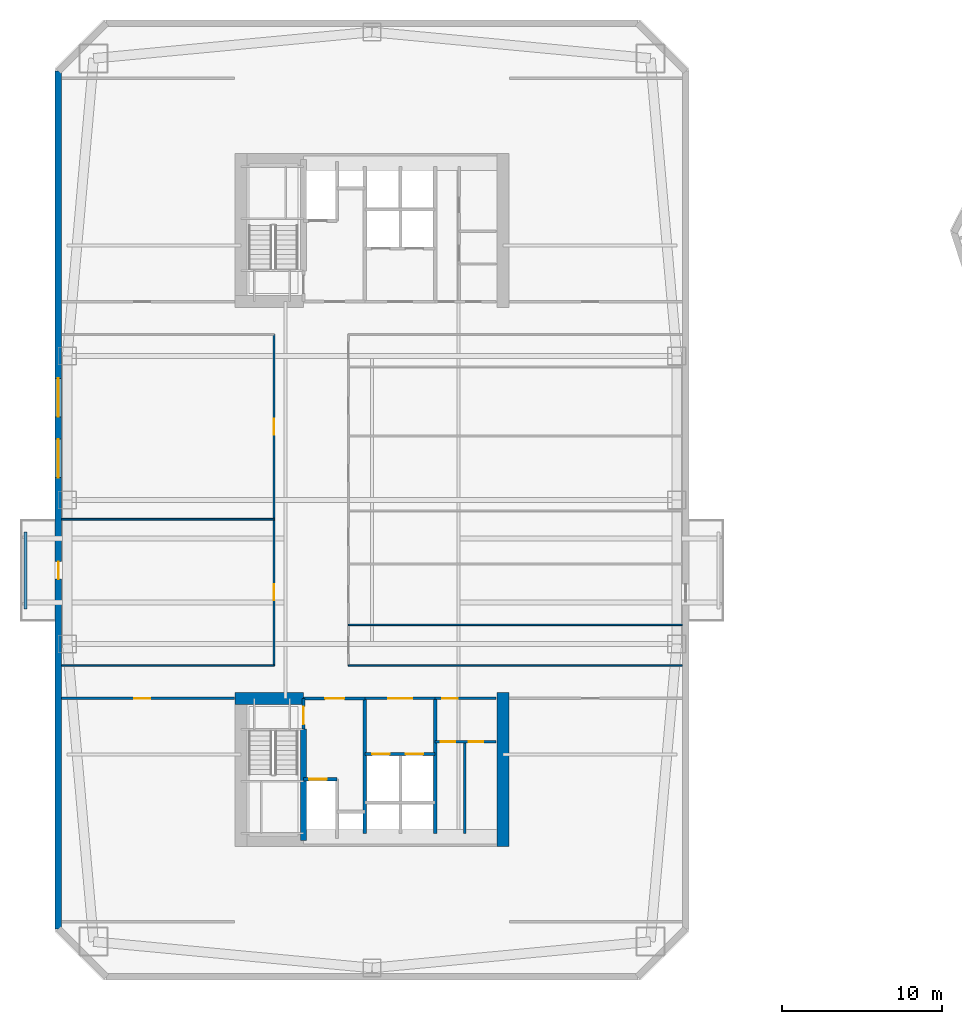
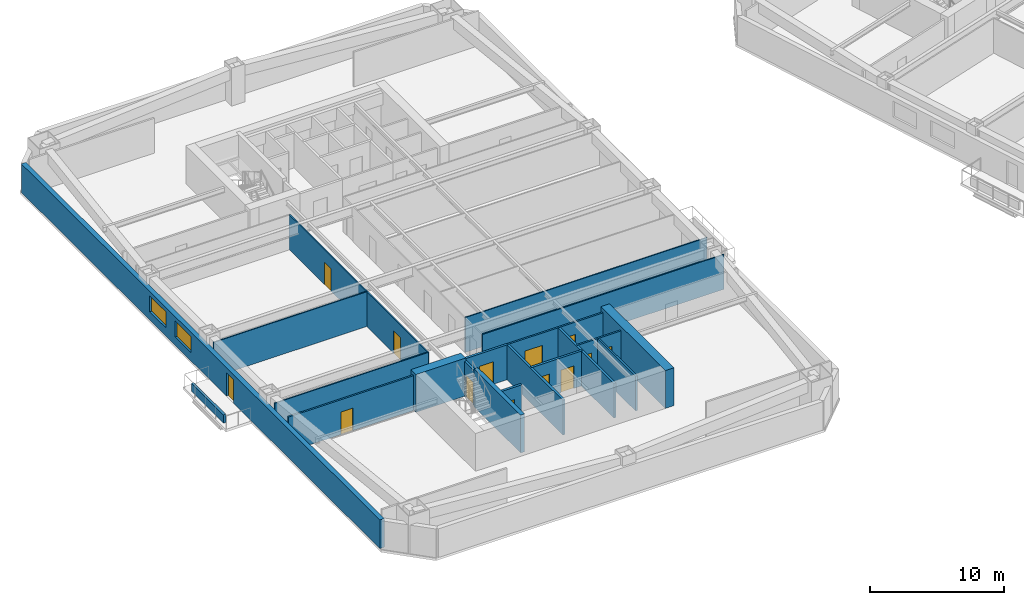
# One storey, part 5 of 15: 21 walls, 13 doors, 2 windows, 15 openings.
"""IFC4 building model written with IfcOpenShell, lengths in metres."""

from ifc_helpers import new_model, si_unit, direction, frame, frame_2d, origin, place, context, subcontext, project, spatial, rectangle, extrude, material, layer, layer_set, type_object, element, fill, save


model = new_model("IFC4")

# Units and contexts
model_context = context("Model", 3, precision=1e-05, world=origin(), true_north=direction((0.0, 1.0)))
body_context = subcontext(model_context, "Body", "Model", "MODEL_VIEW")
ifc_project = project(units=[si_unit("LENGTHUNIT", "METRE"), si_unit("AREAUNIT", "SQUARE_METRE"), si_unit("VOLUMEUNIT", "CUBIC_METRE"), si_unit("PLANEANGLEUNIT", "RADIAN"), si_unit("MASSUNIT", "GRAM", prefix="KILO")], contexts=[model_context])

# Site, building, storey
site_placement = place(None, origin())
site = spatial("IfcSite", under=ifc_project, at=site_placement, CompositionType="ELEMENT")
building_placement = place(site_placement, origin())
building = spatial("IfcBuilding", under=site, at=building_placement, Name="Qiaolan Cultural Towers", CompositionType="ELEMENT")
storey_placement = place(building_placement, frame((0.0, 0.0, 81.64990234375)))
storey = spatial("IfcBuildingStorey", under=building, at=storey_placement, Name="L20", CompositionType="ELEMENT", Elevation=81.64990234375)

# Walls
ifc_material_1 = material(Name="Concrete C50", Category="concrete")
ifc_layer_1 = layer(ifc_material_1, 0.35009765625)
ifc_layer_set_1 = layer_set([ifc_layer_1], Name="Concrete C50")
wall_type_1 = type_object("IfcWallType", Name="WL-CORE-350", PredefinedType="SHEAR", material=ifc_layer_set_1)
wall_1_placement = place(storey_placement, frame((25.719970703125, 19.699951171875, 0.0), z_axis=(0.0, 0.0, 1.0), x_axis=(0.0, -1.0, 0.0)))
element("IfcWall", 1, at=wall_1_placement, inside=storey, type_object=wall_type_1, Name="L20 T1-CS Stair Core Dividing Web", PredefinedType="SHEAR", context=body_context, shape_type="SweptSolid", body=[
    extrude(rectangle(XDim=6.97998046875, YDim=0.35009765625, at=frame_2d((3.489990234375, 0.0))), origin(), (0.0, 0.0, 1.0), 3.4501953125),
])
ifc_material_2 = material(Name="Concrete C60", Category="concrete")
ifc_layer_2 = layer(ifc_material_2, 0.75)
ifc_layer_set_2 = layer_set([ifc_layer_2], Name="Concrete C60")
wall_type_2 = type_object("IfcWallType", Name="WL-CORE-750", PredefinedType="SHEAR", material=ifc_layer_set_2)
wall_2_placement = place(storey_placement, frame((38.199951171875, 21.97509765625, 0.0), z_axis=(0.0, 0.0, 1.0), x_axis=(0.0, -1.0, 0.0)))
element("IfcWall", 2, at=wall_2_placement, inside=storey, type_object=wall_type_2, Name="L20 T1-CS East Core Shear Wall", PredefinedType="SHEAR", context=body_context, shape_type="SweptSolid", body=[
    extrude(rectangle(XDim=9.630126953125, YDim=0.75, at=frame_2d((4.81494140625, 0.0))), origin(), (0.0, 0.0, 1.0), 3.4501953125),
])
wall_3_placement = place(storey_placement, frame((21.425048828125, 21.60009765625, 0.0), z_axis=(0.0, 0.0, 1.0), x_axis=(1.0, 0.0, 0.0)))
element("IfcWall", 3, at=wall_3_placement, inside=storey, type_object=wall_type_2, Name="L20 T1-CS Stair Front Shear Wall", PredefinedType="SHEAR", context=body_context, shape_type="SweptSolid", body=[
    extrude(rectangle(XDim=4.294921875, YDim=0.75, at=frame_2d((2.1474609375, 0.0))), origin(), (0.0, 0.0, 1.0), 3.4501953125),
])

# Wall, openings, door, windows
ifc_material_3 = material(Name="Precast Concrete C50 Honed Stone Pier", Category="masonry")
ifc_layer_3 = layer(ifc_material_3, 0.39990234375)
ifc_layer_set_3 = layer_set([ifc_layer_3], Name="Precast Concrete C50 Honed Stone Pier")
wall_type_3 = type_object("IfcWallType", Name="WL-EXT-PIER-400", PredefinedType="SOLIDWALL", material=ifc_layer_set_3)
wall_4_placement = place(storey_placement, frame((10.39990234375, 7.199951171875, 0.0), z_axis=(0.0, 0.0, 1.0), x_axis=(0.0, 1.0, 0.0)))
wall_4 = element("IfcWall", 4, at=wall_4_placement, inside=storey, type_object=wall_type_3, Name="L20 West Tower Precast Pier Facade Wall F1", PredefinedType="SOLIDWALL", context=body_context, shape_type="SweptSolid", body=[
    extrude(rectangle(XDim=53.60009765625, YDim=0.39990234375, at=frame_2d((26.800048828125, 0.0))), origin(), (0.0, 0.0, 1.0), 2.610107421875),
])
opening_1_placement = place(wall_4_placement, frame((28.199951171875, 0.0, 0.75)))
opening_1 = element("IfcOpeningElement", 5, at=opening_1_placement, cuts=wall_4, Name="Opening W-02", PredefinedType="OPENING", context=body_context, shape_type="SweptSolid", body=[
    extrude(rectangle(XDim=2.39990234375, YDim=1.4599609375, at=frame_2d((1.199951171875, 0.72998046875))), frame((0.0, 0.2099609375, 0.0), z_axis=(0.0, -1.0, 0.0), x_axis=(1.0, 0.0, 0.0)), (0.0, 0.0, 1.0), 0.419921875),
])
opening_2_placement = place(wall_4_placement, frame((32.0, 0.0, 0.75)))
opening_2 = element("IfcOpeningElement", 6, at=opening_2_placement, cuts=wall_4, Name="Opening W-02", PredefinedType="OPENING", context=body_context, shape_type="SweptSolid", body=[
    extrude(rectangle(XDim=2.39990234375, YDim=1.4599609375, at=frame_2d((1.199951171875, 0.72998046875))), frame((0.0, 0.2099609375, 0.0), z_axis=(0.0, -1.0, 0.0), x_axis=(1.0, 0.0, 0.0)), (0.0, 0.0, 1.0), 0.419921875),
])
opening_3_placement = place(wall_4_placement, frame((21.85009765625, 0.0, 0.0)))
opening_3 = element("IfcOpeningElement", 7, at=opening_3_placement, cuts=wall_4, Name="Opening BD-01", PredefinedType="OPENING", context=body_context, shape_type="SweptSolid", body=[
    extrude(rectangle(XDim=1.10009765625, YDim=2.14990234375, at=frame_2d((0.550048828125, 1.074951171875))), frame((0.0, 0.2099609375, 0.0), z_axis=(0.0, -1.0, 0.0), x_axis=(1.0, 0.0, 0.0)), (0.0, 0.0, 1.0), 0.419921875),
])
ifc_material_4 = material(Name="Thermally Broken Aluminium Glazed Terrace Door", Category="aluminium")
door_type_1 = type_object("IfcDoorType", Name="DR-BAL-1100", OperationType="NOTDEFINED", PredefinedType="DOOR", material=ifc_material_4)
door_1_placement = place(opening_3_placement, origin())
door_1 = element("IfcDoor", 8, at=door_1_placement, inside=storey, type_object=door_type_1, Name="L20 T1 West Tree Balcony Door", OperationType="SINGLE_SWING_LEFT", OverallHeight=2.14990234375, OverallWidth=1.10009765625, PredefinedType="DOOR", context=body_context, shape_type="SweptSolid", body=[
    extrude(rectangle(XDim=1.10009765625, YDim=2.14990234375, at=frame_2d((0.550048828125, 1.074951171875))), frame((0.0, 0.02490234375, 0.0), z_axis=(0.0, -1.0, 0.0), x_axis=(1.0, 0.0, 0.0)), (0.0, 0.0, 1.0), 0.050048828125),
])
fill(opening_3, door_1)
ifc_material_5 = material(Name="Thermally Broken Aluminium Triple Low-E Glazing", Category="aluminium")
window_type = type_object("IfcWindowType", Name="WN-CHIC-2400", PartitioningType="SINGLE_PANEL", PredefinedType="WINDOW", material=ifc_material_5)
window_1_placement = place(opening_1_placement, origin())
window_1 = element("IfcWindow", 9, at=window_1_placement, inside=storey, type_object=window_type, Name="L20 T1 W Chicago Bay Window 1", OverallHeight=1.4599609375, OverallWidth=2.39990234375, PartitioningType="TRIPLE_PANEL_VERTICAL", PredefinedType="WINDOW", context=body_context, shape_type="SweptSolid", body=[
    extrude(rectangle(XDim=2.39990234375, YDim=1.4599609375, at=frame_2d((1.199951171875, 0.72998046875))), frame((0.0, 0.030029296875, 0.0), z_axis=(0.0, -1.0, 0.0), x_axis=(1.0, 0.0, 0.0)), (0.0, 0.0, 1.0), 0.06005859375),
])
fill(opening_1, window_1)
window_2_placement = place(opening_2_placement, origin())
window_2 = element("IfcWindow", 10, at=window_2_placement, inside=storey, type_object=window_type, Name="L20 T1 W Chicago Bay Window 2", OverallHeight=1.4599609375, OverallWidth=2.39990234375, PartitioningType="TRIPLE_PANEL_VERTICAL", PredefinedType="WINDOW", context=body_context, shape_type="SweptSolid", body=[
    extrude(rectangle(XDim=2.39990234375, YDim=1.4599609375, at=frame_2d((1.199951171875, 0.72998046875))), frame((0.0, 0.030029296875, 0.0), z_axis=(0.0, -1.0, 0.0), x_axis=(1.0, 0.0, 0.0)), (0.0, 0.0, 1.0), 0.06005859375),
])
fill(opening_2, window_2)

# Wall, opening, door
ifc_material_6 = material(Name="Concrete C35 Fire Wall", Category="concrete")
ifc_layer_4 = layer(ifc_material_6, 0.199951171875)
ifc_layer_set_4 = layer_set([ifc_layer_4], Name="Concrete C35 Fire Wall")
wall_type_4 = type_object("IfcWallType", Name="WL-FIRE-200", PredefinedType="PARTITIONING", material=ifc_layer_set_4)
wall_5_placement = place(storey_placement, frame((25.719970703125, 21.60009765625, 0.0), z_axis=(0.0, 0.0, 1.0), x_axis=(0.0, -1.0, 0.0)))
wall_5 = element("IfcWall", 11, at=wall_5_placement, inside=storey, type_object=wall_type_4, Name="L20 T1-CS Smokeproof Stair Entry Wall", PredefinedType="PARTITIONING", context=body_context, shape_type="SweptSolid", body=[
    extrude(rectangle(XDim=1.900146484375, YDim=0.199951171875, at=frame_2d((0.9501953125, 0.0))), origin(), (0.0, 0.0, 1.0), 3.175048828125),
])
opening_4_placement = place(wall_5_placement, frame((0.52001953125, 0.0, 0.0)))
opening_4 = element("IfcOpeningElement", 12, at=opening_4_placement, cuts=wall_5, Name="Opening FD-04", PredefinedType="OPENING", context=body_context, shape_type="SweptSolid", body=[
    extrude(rectangle(XDim=1.10009765625, YDim=2.050048828125, at=frame_2d((0.550048828125, 1.02490234375))), frame((0.0, 0.10986328125, 0.0), z_axis=(0.0, -1.0, 0.0), x_axis=(1.0, 0.0, 0.0)), (0.0, 0.0, 1.0), 0.219970703125),
])
ifc_material_7 = material(Name="Galvanized Steel Command Fire Door", Category="steel")
door_type_2 = type_object("IfcDoorType", Name="DR-FD90-1100", OperationType="NOTDEFINED", PredefinedType="DOOR", material=ifc_material_7)
door_2_placement = place(opening_4_placement, origin())
door_2 = element("IfcDoor", 13, at=door_2_placement, inside=storey, type_object=door_type_2, Name="L20 ST-W1 Smokeproof Stair Fire Door", OperationType="SINGLE_SWING_LEFT", OverallHeight=2.050048828125, OverallWidth=1.10009765625, PredefinedType="DOOR", context=body_context, shape_type="SweptSolid", body=[
    extrude(rectangle(XDim=1.10009765625, YDim=2.050048828125, at=frame_2d((0.550048828125, 1.02490234375))), frame((0.0, 0.02490234375, 0.0), z_axis=(0.0, -1.0, 0.0), x_axis=(1.0, 0.0, 0.0)), (0.0, 0.0, 1.0), 0.050048828125),
])
fill(opening_4, door_2)

# Wall
wall_6_placement = place(storey_placement, frame((29.550048828125, 21.60009765625, 0.0), z_axis=(0.0, 0.0, 1.0), x_axis=(0.0, -1.0, 0.0)))
element("IfcWall", 14, at=wall_6_placement, inside=storey, type_object=wall_type_4, Name="L20 T1-CS Firefighting Zone Wall", PredefinedType="PARTITIONING", context=body_context, shape_type="SweptSolid", body=[
    extrude(rectangle(XDim=8.43017578125, YDim=0.199951171875, at=frame_2d((4.215087890625, 0.0))), origin(), (0.0, 0.0, 1.0), 3.175048828125),
])

# Wall, opening, door
wall_7_placement = place(storey_placement, frame((25.719970703125, 21.60009765625, 0.0), z_axis=(0.0, 0.0, 1.0), x_axis=(1.0, 0.0, 0.0)))
wall_7 = element("IfcWall", 15, at=wall_7_placement, inside=storey, type_object=wall_type_4, Name="L20 T1-CS Firefighting Lobby Front Wall", PredefinedType="PARTITIONING", context=body_context, shape_type="SweptSolid", body=[
    extrude(rectangle(XDim=3.830078125, YDim=0.199951171875, at=frame_2d((1.9150390625, 0.0))), origin(), (0.0, 0.0, 1.0), 3.175048828125),
])
opening_5_placement = place(wall_7_placement, frame((1.35009765625, 0.0, 0.0)))
opening_5 = element("IfcOpeningElement", 16, at=opening_5_placement, cuts=wall_7, Name="Opening FD-03", PredefinedType="OPENING", context=body_context, shape_type="SweptSolid", body=[
    extrude(rectangle(XDim=1.199951171875, YDim=2.050048828125, at=frame_2d((0.60009765625, 1.02490234375))), frame((0.0, 0.10986328125, 0.0), z_axis=(0.0, -1.0, 0.0), x_axis=(1.0, 0.0, 0.0)), (0.0, 0.0, 1.0), 0.219970703125),
])
ifc_material_8 = material(Name="Galvanized Steel Smokeproof Lobby Fire Door", Category="steel")
door_type_3 = type_object("IfcDoorType", Name="DR-FD90-1200", OperationType="NOTDEFINED", PredefinedType="DOOR", material=ifc_material_8)
door_3_placement = place(opening_5_placement, origin())
door_3 = element("IfcDoor", 17, at=door_3_placement, inside=storey, type_object=door_type_3, Name="L20 FFL-W1 Firefighting Lobby Fire Door", OperationType="SINGLE_SWING_LEFT", OverallHeight=2.050048828125, OverallWidth=1.199951171875, PredefinedType="DOOR", context=body_context, shape_type="SweptSolid", body=[
    extrude(rectangle(XDim=1.199951171875, YDim=2.050048828125, at=frame_2d((0.60009765625, 1.02490234375))), frame((0.0, 0.02490234375, 0.0), z_axis=(0.0, -1.0, 0.0), x_axis=(1.0, 0.0, 0.0)), (0.0, 0.0, 1.0), 0.050048828125),
])
fill(opening_5, door_3)

wall_8_placement = place(storey_placement, frame((25.719970703125, 16.550048828125, 0.0), z_axis=(0.0, 0.0, 1.0), x_axis=(1.0, 0.0, 0.0)))
wall_8 = element("IfcWall", 18, at=wall_8_placement, inside=storey, type_object=wall_type_4, Name="L20 T1-CS Firefighting Shaft Front Wall", PredefinedType="PARTITIONING", context=body_context, shape_type="SweptSolid", body=[
    extrude(rectangle(XDim=2.10009765625, YDim=0.199951171875, at=frame_2d((1.050048828125, 0.0))), origin(), (0.0, 0.0, 1.0), 3.175048828125),
])
opening_6_placement = place(wall_8_placement, frame((0.35009765625, 0.0, 0.0)))
opening_6 = element("IfcOpeningElement", 19, at=opening_6_placement, cuts=wall_8, Name="Opening LD-01", PredefinedType="OPENING", context=body_context, shape_type="SweptSolid", body=[
    extrude(rectangle(XDim=1.10009765625, YDim=2.050048828125, at=frame_2d((0.550048828125, 1.02490234375))), frame((0.0, 0.10986328125, 0.0), z_axis=(0.0, -1.0, 0.0), x_axis=(1.0, 0.0, 0.0)), (0.0, 0.0, 1.0), 0.219970703125),
])
ifc_material_9 = material(Name="Brushed Stainless Steel S30408 Centre-Parting Lift Landing Door", Category="steel")
door_type_4 = type_object("IfcDoorType", Name="DR-LIFT-1100", OperationType="NOTDEFINED", PredefinedType="DOOR", material=ifc_material_9)
door_4_placement = place(opening_6_placement, origin())
door_4 = element("IfcDoor", 20, at=door_4_placement, inside=storey, type_object=door_type_4, Name="L20 FFL-W1 Firefighting Lift Landing Door", OperationType="DOUBLE_DOOR_SLIDING", OverallHeight=2.050048828125, OverallWidth=1.10009765625, PredefinedType="DOOR", context=body_context, shape_type="SweptSolid", body=[
    extrude(rectangle(XDim=1.10009765625, YDim=2.050048828125, at=frame_2d((0.550048828125, 1.02490234375))), frame((0.0, 0.02490234375, 0.0), z_axis=(0.0, -1.0, 0.0), x_axis=(1.0, 0.0, 0.0)), (0.0, 0.0, 1.0), 0.050048828125),
])
fill(opening_6, door_4)

# Wall
wall_9_placement = place(storey_placement, frame((33.949951171875, 21.60009765625, 0.0), z_axis=(0.0, 0.0, 1.0), x_axis=(0.0, -1.0, 0.0)))
element("IfcWall", 21, at=wall_9_placement, inside=storey, type_object=wall_type_4, Name="L20 T1-CS Lift Core East Wall", PredefinedType="PARTITIONING", context=body_context, shape_type="SweptSolid", body=[
    extrude(rectangle(XDim=8.43017578125, YDim=0.199951171875, at=frame_2d((4.215087890625, 0.0))), origin(), (0.0, 0.0, 1.0), 3.175048828125),
])

# Wall, openings, doors
wall_10_placement = place(storey_placement, frame((29.550048828125, 18.1201171875, 0.0), z_axis=(0.0, 0.0, 1.0), x_axis=(1.0, 0.0, 0.0)))
wall_10 = element("IfcWall", 22, at=wall_10_placement, inside=storey, type_object=wall_type_4, Name="L20 T1-CS Passenger Lift Shaft Front Wall", PredefinedType="PARTITIONING", context=body_context, shape_type="SweptSolid", body=[
    extrude(rectangle(XDim=4.39990234375, YDim=0.199951171875, at=frame_2d((2.199951171875, 0.0))), origin(), (0.0, 0.0, 1.0), 3.175048828125),
])
opening_7_placement = place(wall_10_placement, frame((0.449951171875, 0.0, 0.0)))
opening_7 = element("IfcOpeningElement", 23, at=opening_7_placement, cuts=wall_10, Name="Opening LD-01", PredefinedType="OPENING", context=body_context, shape_type="SweptSolid", body=[
    extrude(rectangle(XDim=1.10009765625, YDim=2.050048828125, at=frame_2d((0.550048828125, 1.02490234375))), frame((0.0, 0.10986328125, 0.0), z_axis=(0.0, -1.0, 0.0), x_axis=(1.0, 0.0, 0.0)), (0.0, 0.0, 1.0), 0.219970703125),
])
opening_8_placement = place(wall_10_placement, frame((2.550048828125, 0.0, 0.0)))
opening_8 = element("IfcOpeningElement", 24, at=opening_8_placement, cuts=wall_10, Name="Opening LD-01", PredefinedType="OPENING", context=body_context, shape_type="SweptSolid", body=[
    extrude(rectangle(XDim=1.10009765625, YDim=2.050048828125, at=frame_2d((0.550048828125, 1.02490234375))), frame((0.0, 0.10986328125, 0.0), z_axis=(0.0, -1.0, 0.0), x_axis=(1.0, 0.0, 0.0)), (0.0, 0.0, 1.0), 0.219970703125),
])
door_5_placement = place(opening_7_placement, origin())
door_5 = element("IfcDoor", 25, at=door_5_placement, inside=storey, type_object=door_type_4, Name="L20 Passenger Lift 1 Landing Door", OperationType="DOUBLE_DOOR_SLIDING", OverallHeight=2.050048828125, OverallWidth=1.10009765625, PredefinedType="DOOR", context=body_context, shape_type="SweptSolid", body=[
    extrude(rectangle(XDim=1.10009765625, YDim=2.050048828125, at=frame_2d((0.550048828125, 1.02490234375))), frame((0.0, 0.02490234375, 0.0), z_axis=(0.0, -1.0, 0.0), x_axis=(1.0, 0.0, 0.0)), (0.0, 0.0, 1.0), 0.050048828125),
])
fill(opening_7, door_5)
door_6_placement = place(opening_8_placement, origin())
door_6 = element("IfcDoor", 26, at=door_6_placement, inside=storey, type_object=door_type_4, Name="L20 Passenger Lift 2 Landing Door", OperationType="DOUBLE_DOOR_SLIDING", OverallHeight=2.050048828125, OverallWidth=1.10009765625, PredefinedType="DOOR", context=body_context, shape_type="SweptSolid", body=[
    extrude(rectangle(XDim=1.10009765625, YDim=2.050048828125, at=frame_2d((0.550048828125, 1.02490234375))), frame((0.0, 0.02490234375, 0.0), z_axis=(0.0, -1.0, 0.0), x_axis=(1.0, 0.0, 0.0)), (0.0, 0.0, 1.0), 0.050048828125),
])
fill(opening_8, door_6)

# Walls
ifc_material_10 = material(Name="Acoustic Double-Glazed Partition Frame", Category="glass")
ifc_layer_5 = layer(ifc_material_10, 0.10009765625)
ifc_layer_set_5 = layer_set([ifc_layer_5], Name="Acoustic Double-Glazed Partition Frame")
wall_type_5 = type_object("IfcWallType", Name="WL-GLAZED-100", PredefinedType="MOVABLE", material=ifc_layer_set_5)
wall_11_placement = place(storey_placement, frame((10.60009765625, 23.64990234375, 0.0), z_axis=(0.0, 0.0, 1.0), x_axis=(1.0, 0.0, 0.0)))
element("IfcWall", 27, at=wall_11_placement, inside=storey, type_object=wall_type_5, Name="L20 T1 South Corridor Left Wall", PredefinedType="MOVABLE", context=body_context, shape_type="SweptSolid", body=[
    extrude(rectangle(XDim=13.27490234375, YDim=0.10009765625, at=frame_2d((6.637451171875, 0.0))), origin(), (0.0, 0.0, 1.0), 3.175048828125),
])
wall_12_placement = place(storey_placement, frame((28.52490234375, 23.64990234375, 0.0), z_axis=(0.0, 0.0, 1.0), x_axis=(1.0, 0.0, 0.0)))
element("IfcWall", 28, at=wall_12_placement, inside=storey, type_object=wall_type_5, Name="L20 T1 South Corridor Right Wall", PredefinedType="MOVABLE", context=body_context, shape_type="SweptSolid", body=[
    extrude(rectangle(XDim=20.875, YDim=0.10009765625, at=frame_2d((10.4375, 0.0))), origin(), (0.0, 0.0, 1.0), 3.175048828125),
])

# Wall, openings, doors
wall_13_placement = place(storey_placement, frame((23.875, 23.64990234375, 0.0), z_axis=(0.0, 0.0, 1.0), x_axis=(0.0, 1.0, 0.0)))
wall_13 = element("IfcWall", 29, at=wall_13_placement, inside=storey, type_object=wall_type_5, Name="L20 T1 West Spine Wall", PredefinedType="MOVABLE", context=body_context, shape_type="SweptSolid", body=[
    extrude(rectangle(XDim=20.7001953125, YDim=0.10009765625, at=frame_2d((10.35009765625, 0.0))), origin(), (0.0, 0.0, 1.0), 3.175048828125),
])
opening_9_placement = place(wall_13_placement, frame((4.074951171875, 0.0, 0.0)))
opening_9 = element("IfcOpeningElement", 30, at=opening_9_placement, cuts=wall_13, Name="Opening ID-04", PredefinedType="OPENING", context=body_context, shape_type="SweptSolid", body=[
    extrude(rectangle(XDim=1.0, YDim=2.050048828125, at=frame_2d((0.5, 1.02490234375))), frame((0.0, 0.06005859375, 0.0), z_axis=(0.0, -1.0, 0.0), x_axis=(1.0, 0.0, 0.0)), (0.0, 0.0, 1.0), 0.1201171875),
])
opening_10_placement = place(wall_13_placement, frame((14.425048828125, 0.0, 0.0)))
opening_10 = element("IfcOpeningElement", 31, at=opening_10_placement, cuts=wall_13, Name="Opening ID-04", PredefinedType="OPENING", context=body_context, shape_type="SweptSolid", body=[
    extrude(rectangle(XDim=1.0, YDim=2.050048828125, at=frame_2d((0.5, 1.02490234375))), frame((0.0, 0.06005859375, 0.0), z_axis=(0.0, -1.0, 0.0), x_axis=(1.0, 0.0, 0.0)), (0.0, 0.0, 1.0), 0.1201171875),
])
ifc_material_11 = material(Name="Oak Veneer Acoustic Office Door", Category="timber")
door_type_5 = type_object("IfcDoorType", Name="DR-INT-1000", OperationType="NOTDEFINED", PredefinedType="DOOR", material=ifc_material_11)
door_7_placement = place(opening_9_placement, origin())
door_7 = element("IfcDoor", 32, at=door_7_placement, inside=storey, type_object=door_type_5, Name="L20 T1 Open Design Atelier Door", OperationType="SINGLE_SWING_LEFT", OverallHeight=2.050048828125, OverallWidth=1.0, PredefinedType="DOOR", context=body_context, shape_type="SweptSolid", body=[
    extrude(rectangle(XDim=1.0, YDim=2.050048828125, at=frame_2d((0.5, 1.02490234375))), frame((0.0, 0.02490234375, 0.0), z_axis=(0.0, -1.0, 0.0), x_axis=(1.0, 0.0, 0.0)), (0.0, 0.0, 1.0), 0.050048828125),
])
fill(opening_9, door_7)
door_8_placement = place(opening_10_placement, origin())
door_8 = element("IfcDoor", 33, at=door_8_placement, inside=storey, type_object=door_type_5, Name="L20 T1 Cultural Media Hall Door", OperationType="SINGLE_SWING_RIGHT", OverallHeight=2.050048828125, OverallWidth=1.0, PredefinedType="DOOR", context=body_context, shape_type="SweptSolid", body=[
    extrude(rectangle(XDim=1.0, YDim=2.050048828125, at=frame_2d((0.5, 1.02490234375))), frame((0.0, 0.02490234375, 0.0), z_axis=(0.0, -1.0, 0.0), x_axis=(1.0, 0.0, 0.0)), (0.0, 0.0, 1.0), 0.050048828125),
])
fill(opening_10, door_8)

# Walls
wall_14_placement = place(storey_placement, frame((10.60009765625, 32.800048828125, 0.0), z_axis=(0.0, 0.0, 1.0), x_axis=(1.0, 0.0, 0.0)))
element("IfcWall", 34, at=wall_14_placement, inside=storey, type_object=wall_type_5, Name="L20 T1 West Partition 1", PredefinedType="MOVABLE", context=body_context, shape_type="SweptSolid", body=[
    extrude(rectangle(XDim=13.27490234375, YDim=0.10009765625, at=frame_2d((6.637451171875, 0.0))), origin(), (0.0, 0.0, 1.0), 3.175048828125),
])
wall_15_placement = place(storey_placement, frame((28.52490234375, 26.199951171875, 0.0), z_axis=(0.0, 0.0, 1.0), x_axis=(1.0, 0.0, 0.0)))
element("IfcWall", 35, at=wall_15_placement, inside=storey, type_object=wall_type_5, Name="L20 T1 East Partition 1", PredefinedType="MOVABLE", context=body_context, shape_type="SweptSolid", body=[
    extrude(rectangle(XDim=20.875, YDim=0.10009765625, at=frame_2d((10.4375, 0.0))), origin(), (0.0, 0.0, 1.0), 3.175048828125),
])

# Wall, opening, door
ifc_material_12 = material(Name="Autoclaved Aerated Concrete Block B06", Category="concrete")
ifc_layer_6 = layer(ifc_material_12, 0.14990234375)
ifc_layer_set_6 = layer_set([ifc_layer_6], Name="Autoclaved Aerated Concrete Block B06")
wall_type_6 = type_object("IfcWallType", Name="WL-PART-150", PredefinedType="PARTITIONING", material=ifc_layer_set_6)
wall_16_placement = place(storey_placement, frame((29.550048828125, 21.60009765625, 0.0), z_axis=(0.0, 0.0, 1.0), x_axis=(1.0, 0.0, 0.0)))
wall_16 = element("IfcWall", 36, at=wall_16_placement, inside=storey, type_object=wall_type_6, Name="L20 T1-CS Passenger Lift Lobby Front Wall", PredefinedType="PARTITIONING", context=body_context, shape_type="SweptSolid", body=[
    extrude(rectangle(XDim=4.39990234375, YDim=0.14990234375, at=frame_2d((2.199951171875, 0.0))), origin(), (0.0, 0.0, 1.0), 3.175048828125),
])
opening_11_placement = place(wall_16_placement, frame((1.449951171875, 0.0, 0.0)))
opening_11 = element("IfcOpeningElement", 37, at=opening_11_placement, cuts=wall_16, Name="Opening FD-05", PredefinedType="OPENING", context=body_context, shape_type="SweptSolid", body=[
    extrude(rectangle(XDim=1.5, YDim=2.050048828125, at=frame_2d((0.75, 1.02490234375))), frame((0.0, 0.0849609375, 0.0), z_axis=(0.0, -1.0, 0.0), x_axis=(1.0, 0.0, 0.0)), (0.0, 0.0, 1.0), 0.169921875),
])
ifc_material_13 = material(Name="Painted Steel Lift Lobby Fire Door", Category="steel")
door_type_6 = type_object("IfcDoorType", Name="DR-FD60-1500", OperationType="NOTDEFINED", PredefinedType="DOOR", material=ifc_material_13)
door_9_placement = place(opening_11_placement, origin())
door_9 = element("IfcDoor", 38, at=door_9_placement, inside=storey, type_object=door_type_6, Name="L20 Passenger Lift Lobby Entrance", OperationType="SINGLE_SWING_LEFT", OverallHeight=2.050048828125, OverallWidth=1.5, PredefinedType="DOOR", context=body_context, shape_type="SweptSolid", body=[
    extrude(rectangle(XDim=1.5, YDim=2.050048828125, at=frame_2d((0.75, 1.02490234375))), frame((0.0, 0.02490234375, 0.0), z_axis=(0.0, -1.0, 0.0), x_axis=(1.0, 0.0, 0.0)), (0.0, 0.0, 1.0), 0.050048828125),
])
fill(opening_11, door_9)

wall_17_placement = place(storey_placement, frame((33.949951171875, 21.60009765625, 0.0), z_axis=(0.0, 0.0, 1.0), x_axis=(1.0, 0.0, 0.0)))
wall_17 = element("IfcWall", 39, at=wall_17_placement, inside=storey, type_object=wall_type_6, Name="L20 T1-CS Sanitary Core Front Wall", PredefinedType="PARTITIONING", context=body_context, shape_type="SweptSolid", body=[
    extrude(rectangle(XDim=3.800048828125, YDim=0.14990234375, at=frame_2d((1.89990234375, 0.0))), origin(), (0.0, 0.0, 1.0), 3.175048828125),
])
opening_12_placement = place(wall_17_placement, frame((0.449951171875, 0.0, 0.0)))
opening_12 = element("IfcOpeningElement", 40, at=opening_12_placement, cuts=wall_17, Name="Opening ID-05", PredefinedType="OPENING", context=body_context, shape_type="SweptSolid", body=[
    extrude(rectangle(XDim=0.949951171875, YDim=2.050048828125, at=frame_2d((0.47509765625, 1.02490234375))), frame((0.0, 0.0849609375, 0.0), z_axis=(0.0, -1.0, 0.0), x_axis=(1.0, 0.0, 0.0)), (0.0, 0.0, 1.0), 0.169921875),
])
ifc_material_14 = material(Name="Fire-Rated Laminate Accessible Core Door", Category="timber")
door_type_7 = type_object("IfcDoorType", Name="DR-INT-950", OperationType="NOTDEFINED", PredefinedType="DOOR", material=ifc_material_14)
door_10_placement = place(opening_12_placement, origin())
door_10 = element("IfcDoor", 41, at=door_10_placement, inside=storey, type_object=door_type_7, Name="L20 Sanitary Vestibule Door", OperationType="SINGLE_SWING_LEFT", OverallHeight=2.050048828125, OverallWidth=0.949951171875, PredefinedType="DOOR", context=body_context, shape_type="SweptSolid", body=[
    extrude(rectangle(XDim=0.949951171875, YDim=2.050048828125, at=frame_2d((0.47509765625, 1.02490234375))), frame((0.0, 0.02490234375, 0.0), z_axis=(0.0, -1.0, 0.0), x_axis=(1.0, 0.0, 0.0)), (0.0, 0.0, 1.0), 0.050048828125),
])
fill(opening_12, door_10)

# Wall, openings, doors
wall_18_placement = place(storey_placement, frame((33.949951171875, 18.89990234375, 0.0), z_axis=(0.0, 0.0, 1.0), x_axis=(1.0, 0.0, 0.0)))
wall_18 = element("IfcWall", 42, at=wall_18_placement, inside=storey, type_object=wall_type_6, Name="L20 T1-CS Restroom Vestibule Wall", PredefinedType="PARTITIONING", context=body_context, shape_type="SweptSolid", body=[
    extrude(rectangle(XDim=3.800048828125, YDim=0.14990234375, at=frame_2d((1.89990234375, 0.0))), origin(), (0.0, 0.0, 1.0), 3.175048828125),
])
opening_13_placement = place(wall_18_placement, frame((0.35009765625, 0.0, 0.0)))
opening_13 = element("IfcOpeningElement", 43, at=opening_13_placement, cuts=wall_18, Name="Opening ID-06", PredefinedType="OPENING", context=body_context, shape_type="SweptSolid", body=[
    extrude(rectangle(XDim=0.89990234375, YDim=2.050048828125, at=frame_2d((0.449951171875, 1.02490234375))), frame((0.0, 0.0849609375, 0.0), z_axis=(0.0, -1.0, 0.0), x_axis=(1.0, 0.0, 0.0)), (0.0, 0.0, 1.0), 0.169921875),
])
opening_14_placement = place(wall_18_placement, frame((2.10009765625, 0.0, 0.0)))
opening_14 = element("IfcOpeningElement", 44, at=opening_14_placement, cuts=wall_18, Name="Opening ID-06", PredefinedType="OPENING", context=body_context, shape_type="SweptSolid", body=[
    extrude(rectangle(XDim=0.89990234375, YDim=2.050048828125, at=frame_2d((0.449951171875, 1.02490234375))), frame((0.0, 0.0849609375, 0.0), z_axis=(0.0, -1.0, 0.0), x_axis=(1.0, 0.0, 0.0)), (0.0, 0.0, 1.0), 0.169921875),
])
ifc_material_15 = material(Name="Fire-Rated Laminate Core Service Door", Category="timber")
door_type_8 = type_object("IfcDoorType", Name="DR-INT-900", OperationType="NOTDEFINED", PredefinedType="DOOR", material=ifc_material_15)
door_11_placement = place(opening_13_placement, origin())
door_11 = element("IfcDoor", 45, at=door_11_placement, inside=storey, type_object=door_type_8, Name="L20 Men Restroom Door", OperationType="SINGLE_SWING_LEFT", OverallHeight=2.050048828125, OverallWidth=0.89990234375, PredefinedType="DOOR", context=body_context, shape_type="SweptSolid", body=[
    extrude(rectangle(XDim=0.89990234375, YDim=2.050048828125, at=frame_2d((0.449951171875, 1.02490234375))), frame((0.0, 0.02490234375, 0.0), z_axis=(0.0, -1.0, 0.0), x_axis=(1.0, 0.0, 0.0)), (0.0, 0.0, 1.0), 0.050048828125),
])
fill(opening_13, door_11)
door_12_placement = place(opening_14_placement, origin())
door_12 = element("IfcDoor", 46, at=door_12_placement, inside=storey, type_object=door_type_8, Name="L20 Accessible & Women Restroom Door", OperationType="SINGLE_SWING_RIGHT", OverallHeight=2.050048828125, OverallWidth=0.89990234375, PredefinedType="DOOR", context=body_context, shape_type="SweptSolid", body=[
    extrude(rectangle(XDim=0.89990234375, YDim=2.050048828125, at=frame_2d((0.449951171875, 1.02490234375))), frame((0.0, 0.02490234375, 0.0), z_axis=(0.0, -1.0, 0.0), x_axis=(1.0, 0.0, 0.0)), (0.0, 0.0, 1.0), 0.050048828125),
])
fill(opening_14, door_12)

# Wall
wall_19_placement = place(storey_placement, frame((35.800048828125, 18.89990234375, 0.0), z_axis=(0.0, 0.0, 1.0), x_axis=(0.0, -1.0, 0.0)))
element("IfcWall", 47, at=wall_19_placement, inside=storey, type_object=wall_type_6, Name="L20 T1-CS Restroom Divider Wall", PredefinedType="PARTITIONING", context=body_context, shape_type="SweptSolid", body=[
    extrude(rectangle(XDim=5.72998046875, YDim=0.14990234375, at=frame_2d((2.864990234375, 0.0))), origin(), (0.0, 0.0, 1.0), 3.175048828125),
])

# Wall, opening, door
wall_20_placement = place(storey_placement, frame((10.60009765625, 21.60009765625, 0.0), z_axis=(0.0, 0.0, 1.0), x_axis=(1.0, 0.0, 0.0)))
wall_20 = element("IfcWall", 48, at=wall_20_placement, inside=storey, type_object=wall_type_6, Name="L20 T1 Flank Front FLK-SW", PredefinedType="PARTITIONING", context=body_context, shape_type="SweptSolid", body=[
    extrude(rectangle(XDim=10.7998046875, YDim=0.14990234375, at=frame_2d((5.39990234375, 0.0))), origin(), (0.0, 0.0, 1.0), 3.175048828125),
])
opening_15_placement = place(wall_20_placement, frame((4.535888671875, 0.0, 0.0)))
opening_15 = element("IfcOpeningElement", 49, at=opening_15_placement, cuts=wall_20, Name="Opening ID-04", PredefinedType="OPENING", context=body_context, shape_type="SweptSolid", body=[
    extrude(rectangle(XDim=1.0, YDim=2.050048828125, at=frame_2d((0.5, 1.02490234375))), frame((0.0, 0.0849609375, 0.0), z_axis=(0.0, -1.0, 0.0), x_axis=(1.0, 0.0, 0.0)), (0.0, 0.0, 1.0), 0.169921875),
])
door_13_placement = place(opening_15_placement, origin())
door_13 = element("IfcDoor", 50, at=door_13_placement, inside=storey, type_object=door_type_5, Name="L20 T1 Corner Studio Door", OperationType="SINGLE_SWING_LEFT", OverallHeight=2.050048828125, OverallWidth=1.0, PredefinedType="DOOR", context=body_context, shape_type="SweptSolid", body=[
    extrude(rectangle(XDim=1.0, YDim=2.050048828125, at=frame_2d((0.5, 1.02490234375))), frame((0.0, 0.02490234375, 0.0), z_axis=(0.0, -1.0, 0.0), x_axis=(1.0, 0.0, 0.0)), (0.0, 0.0, 1.0), 0.050048828125),
])
fill(opening_15, door_13)

# Wall
ifc_material_16 = material(Name="Precast Concrete C45 Tree Planter Upstand", Category="concrete")
ifc_layer_7 = layer(ifc_material_16, 0.199951171875)
ifc_layer_set_7 = layer_set([ifc_layer_7], Name="Precast Concrete C45 Tree Planter Upstand")
wall_type_7 = type_object("IfcWallType", Name="WL-PLANTER-200", PredefinedType="PARAPET", material=ifc_layer_set_7)
wall_21_placement = place(storey_placement, frame((8.35009765625, 27.199951171875, 0.0), z_axis=(0.0, 0.0, 1.0), x_axis=(0.0, 1.0, 0.0)))
element("IfcWall", 51, at=wall_21_placement, inside=storey, type_object=wall_type_7, Name="L20 T1 Tree Balcony Soil Planter Box W", PredefinedType="PARAPET", context=body_context, shape_type="SweptSolid", body=[
    extrude(rectangle(XDim=4.800048828125, YDim=0.199951171875, at=frame_2d((2.39990234375, 0.0))), origin(), (0.0, 0.0, 1.0), 0.75),
])

save(model, "model.ifc")
